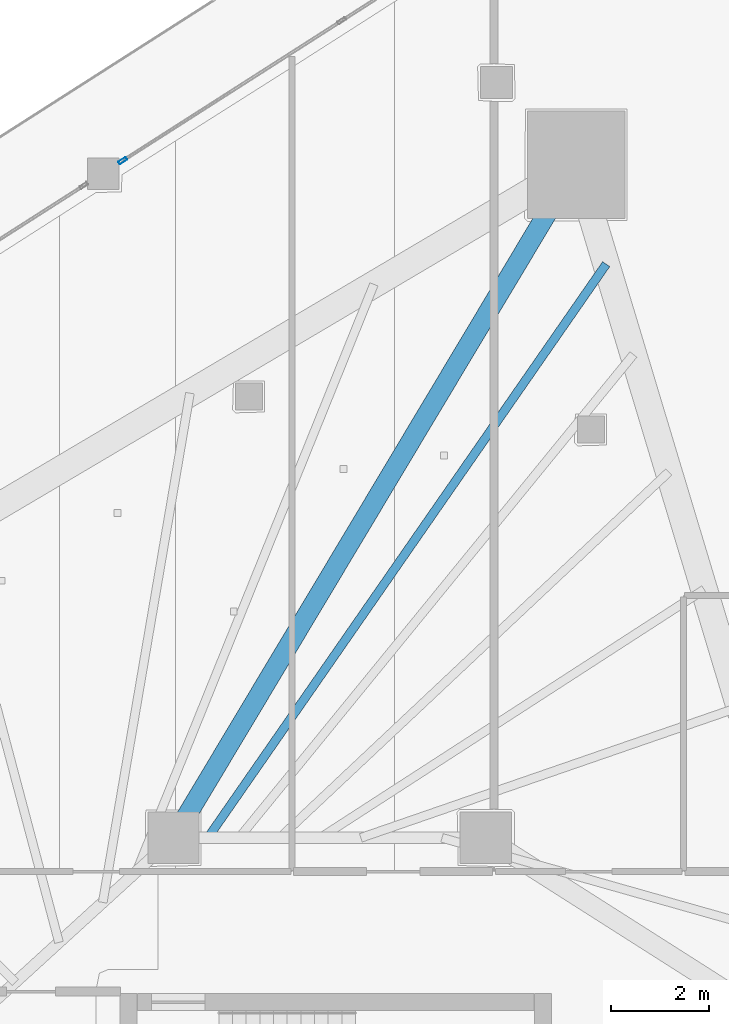
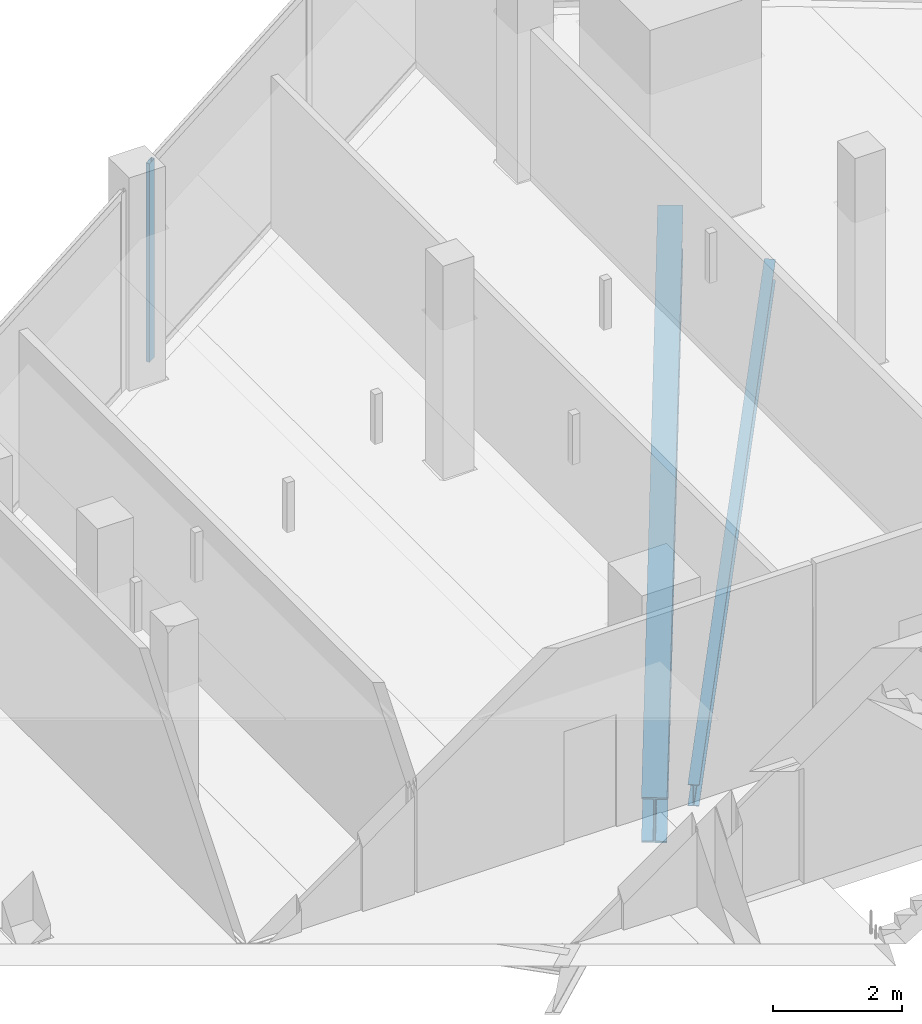
# One storey, part 23 of 45: 2 beams, 1 member, 1 element without a shape of its own.
"""IFC4 building model written with IfcOpenShell, lengths in metres."""

from ifc_helpers import new_model, si_unit, direction, frame, origin, origin_2d, place, context, subcontext, project, spatial, hollow_rectangle, i_section, extrude, material, layer, layer_set, material_profile, profile_set, type_object, element, aggregate, save


model = new_model("IFC4")

# Units and contexts
model_context = context("Model", 3, precision=1e-05, world=origin(), true_north=direction((0.0, 1.0)))
body_context = subcontext(model_context, "Body", "Model", "MODEL_VIEW")
ifc_project = project(units=[si_unit("LENGTHUNIT", "METRE"), si_unit("AREAUNIT", "SQUARE_METRE"), si_unit("VOLUMEUNIT", "CUBIC_METRE"), si_unit("PLANEANGLEUNIT", "RADIAN"), si_unit("MASSUNIT", "GRAM", prefix="KILO")], contexts=[model_context])

# Site, building, storey
site_placement = place(None, origin())
site = spatial("IfcSite", under=ifc_project, at=site_placement, CompositionType="ELEMENT")
building_placement = place(site_placement, origin())
building = spatial("IfcBuilding", under=site, at=building_placement, Name="Qorvath Tower", CompositionType="ELEMENT")
storey_placement = place(building_placement, frame((0.0, 0.0, 109.800048828125)))
storey = spatial("IfcBuildingStorey", under=building, at=storey_placement, Name="L24", CompositionType="ELEMENT", Elevation=109.800048828125)

# Beams
ifc_material_1 = material(Name="Steel ASTM A992 Grade 50", Category="steel")
ifc_material_profile_1 = material_profile(ifc_material_1, i_section(OverallWidth=0.39892578125, OverallDepth=0.85498046875, WebThickness=0.018310546875, FlangeThickness=0.029296875, FilletRadius=0.02001953125, at=origin_2d()), Name="W33x201")
ifc_profile_set_1 = profile_set([ifc_material_profile_1], Name="Steel ASTM A992 Grade 50")
beam_type_1 = type_object("IfcBeamType", Name="BM-FG2", PredefinedType="BEAM", material=ifc_profile_set_1)
beam_1_placement = place(storey_placement, frame((-23.60009765625, 11.449951171875, -0.70751953125), z_axis=(0.513497213955, 0.85809126045, 0.0), x_axis=(-0.85809126045, 0.513497213955, 0.0)))
element("IfcBeam", 1, at=beam_1_placement, inside=storey, type_object=beam_type_1, Name="Radial Floor Girder CC1-MC6 L24", PredefinedType="BEAM", context=body_context, shape_type="SweptSolid", body=[
    extrude(i_section(OverallWidth=0.39892578125, OverallDepth=0.85498046875, WebThickness=0.018310546875, FlangeThickness=0.029296875, FilletRadius=0.02001953125, at=origin_2d()), origin(), (0.0, 0.0, 1.0), 16.07763671875),
])
ifc_material_2 = material(Name="Steel ASTM A992 Grade 50", Category="steel")
ifc_material_profile_2 = material_profile(ifc_material_2, i_section(OverallWidth=0.177978515625, OverallDepth=0.406005859375, WebThickness=0.0078125, FlangeThickness=0.0126953125, FilletRadius=0.010986328125, at=origin_2d()), Name="W16x40")
ifc_profile_set_2 = profile_set([ifc_material_profile_2], Name="Steel ASTM A992 Grade 50")
beam_type_2 = type_object("IfcBeamType", Name="BM-FJ3", PredefinedType="JOIST", material=ifc_profile_set_2)
beam_2_placement = place(storey_placement, frame((-22.89599609375, 11.449951171875, -0.483154296875), z_axis=(0.570366725248, 0.821390162304, 0.0), x_axis=(-0.821390162304, 0.570366725248, 0.0)))
element("IfcBeam", 2, at=beam_2_placement, inside=storey, type_object=beam_type_2, Name="Composite Floor Joist NE7 L24", PredefinedType="JOIST", context=body_context, shape_type="SweptSolid", body=[
    extrude(i_section(OverallWidth=0.177978515625, OverallDepth=0.406005859375, WebThickness=0.0078125, FlangeThickness=0.0126953125, FilletRadius=0.010986328125, at=origin_2d()), origin(), (0.0, 0.0, 1.0), 14.3154296875),
])

# Curtain wall, member
ifc_material_3 = material(Name="Anodised aluminium and triple low-E glass", Category="aluminium")
ifc_layer = layer(ifc_material_3, 0.179931640625)
ifc_layer_set = layer_set([ifc_layer], Name="CW-SYS-2")
curtain_wall_type = type_object("IfcCurtainWallType", Name="CW-SYS-2", PredefinedType="NOTDEFINED", material=ifc_layer_set)
curtain_wall_placement = place(storey_placement, origin())
curtain_wall = element("IfcCurtainWall", 3, at=curtain_wall_placement, inside=storey, type_object=curtain_wall_type, Name="Curtain Wall CW-2 CW-T-L24-16.1", PredefinedType="NOTDEFINED")
ifc_material_4 = material(Name="Anodised aluminium 6063-T6", Category="aluminium")
ifc_material_profile_3 = material_profile(ifc_material_4, hollow_rectangle(XDim=0.06494140625, YDim=0.179931640625, WallThickness=0.00341796875, InnerFilletRadius=0.00341796875, OuterFilletRadius=0.007080078125, at=origin_2d()), Name="CWM 180x65")
ifc_profile_set_3 = profile_set([ifc_material_profile_3], Name="Anodised aluminium 6063-T6")
member_type = type_object("IfcMemberType", Name="CWM-180", PredefinedType="MULLION", material=ifc_profile_set_3)
member_placement = place(storey_placement, frame((-24.64013671875, 25.327880859375, 0.0), z_axis=(0.0, 0.0, 1.0), x_axis=(0.538532879619, -0.842604496528, 0.0)))
member = element("IfcMember", 4, at=member_placement, type_object=member_type, Name="CW-2 mullion 3", PredefinedType="MULLION", context=body_context, shape_type="SweptSolid", body=[
    extrude(hollow_rectangle(XDim=0.06494140625, YDim=0.179931640625, WallThickness=0.00341796875, InnerFilletRadius=0.00341796875, OuterFilletRadius=0.007080078125, at=origin_2d()), origin(), (0.0, 0.0, 1.0), 3.77001953125),
])
aggregate(curtain_wall, [member])

save(model, "model.ifc")
